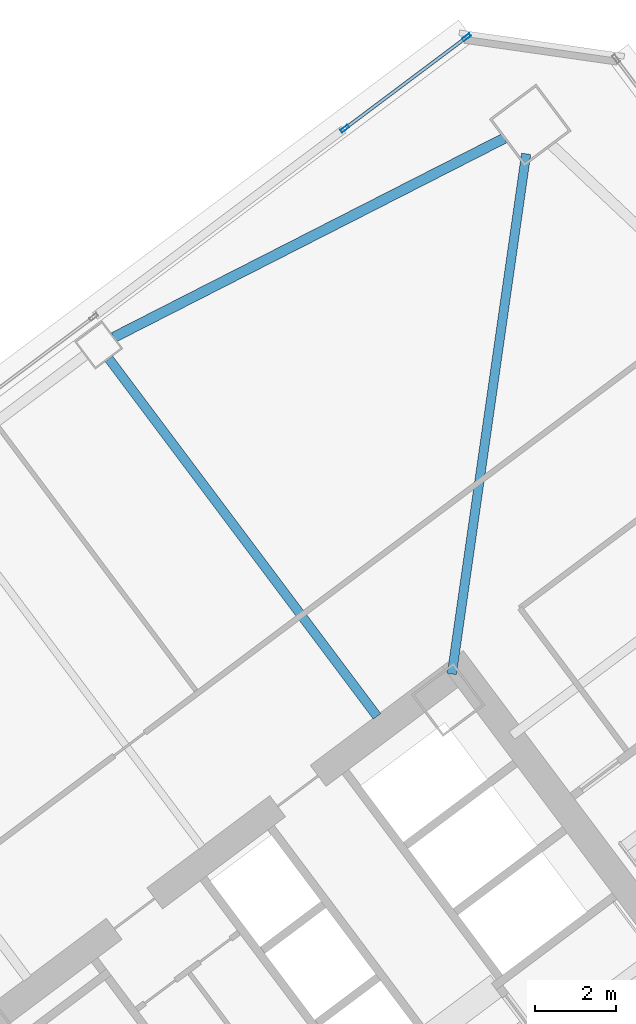
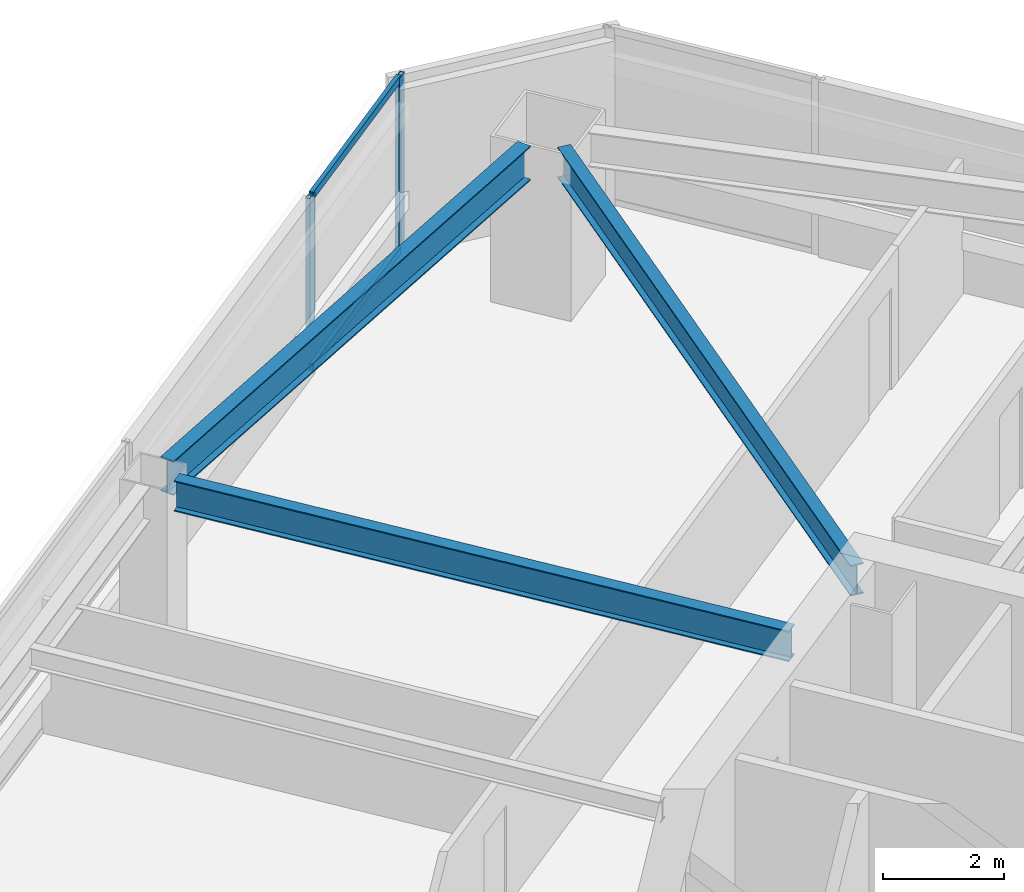
# One storey, part 31 of 47: 4 members, 3 beams, 1 element without a shape of its own.
"""IFC4 building model written with IfcOpenShell, lengths in metres."""

from ifc_helpers import new_model, si_unit, direction, frame, origin, origin_2d, place, context, subcontext, project, spatial, hollow_rectangle, i_section, extrude, material, material_profile, profile_set, type_object, element, aggregate, save


model = new_model("IFC4")

# Units and contexts
model_context = context("Model", 3, precision=1e-05, world=origin(), true_north=direction((0.0, 1.0)))
body_context = subcontext(model_context, "Body", "Model", "MODEL_VIEW")
ifc_project = project(units=[si_unit("LENGTHUNIT", "METRE"), si_unit("AREAUNIT", "SQUARE_METRE"), si_unit("VOLUMEUNIT", "CUBIC_METRE"), si_unit("PLANEANGLEUNIT", "RADIAN"), si_unit("MASSUNIT", "GRAM", prefix="KILO")], contexts=[model_context])

# Site, building, storey
site_placement = place(None, origin())
site = spatial("IfcSite", under=ifc_project, at=site_placement, CompositionType="ELEMENT")
building_placement = place(site_placement, origin())
building = spatial("IfcBuilding", under=site, at=building_placement, Name="Tashvorn Skyway Center", CompositionType="ELEMENT")
storey_placement = place(building_placement, frame((0.0, 0.0, 81.39990234375)))
storey = spatial("IfcBuildingStorey", under=building, at=storey_placement, Name="L21", CompositionType="ELEMENT", Elevation=81.39990234375)

# Beams
ifc_material_1 = material(Name="Steel ASTM A992 Grade 50", Category="steel")
ifc_material_profile_1 = material_profile(ifc_material_1, i_section(OverallWidth=0.22998046875, OverallDepth=0.616943359375, WebThickness=0.01318359375, FlangeThickness=0.022216796875, at=origin_2d()), Name="W24X94")
ifc_profile_set_1 = profile_set([ifc_material_profile_1], Name="Steel ASTM A992 Grade 50")
beam_type_1 = type_object("IfcBeamType", Name="BM-BEAM-W24X94", PredefinedType="BEAM", material=ifc_profile_set_1)
beam_1_placement = place(storey_placement, frame((117.338134765625, 55.3671875, 3.04150390625), z_axis=(-0.141418724841, -0.989949869571, 0.0), x_axis=(0.989949869571, -0.141418724841, 0.0)))
element("IfcBeam", 1, at=beam_1_placement, inside=storey, type_object=beam_type_1, Name="Tower 2 L21 Primary Floor Girder MC-NE", PredefinedType="BEAM", context=body_context, shape_type="SweptSolid", body=[
    extrude(i_section(OverallWidth=0.22998046875, OverallDepth=0.616943359375, WebThickness=0.01318359375, FlangeThickness=0.022216796875, at=origin_2d()), origin(), (0.0, 0.0, 1.0), 12.9892578125),
])
beam_2_placement = place(storey_placement, frame((107.02197265625, 50.303955078125, 3.04150390625), z_axis=(0.60001414024, -0.799989394625, 0.0), x_axis=(0.799989394625, 0.60001414024, 0.0)))
element("IfcBeam", 2, at=beam_2_placement, inside=storey, type_object=beam_type_1, Name="Tower 2 L21 Primary Floor Girder FC-N1", PredefinedType="BEAM", context=body_context, shape_type="SweptSolid", body=[
    extrude(i_section(OverallWidth=0.22998046875, OverallDepth=0.616943359375, WebThickness=0.01318359375, FlangeThickness=0.022216796875, at=origin_2d()), origin(), (0.0, 0.0, 1.0), 11.050048828125),
])
ifc_material_profile_2 = material_profile(ifc_material_1, i_section(OverallWidth=0.256103515625, OverallDepth=0.693115234375, WebThickness=0.014404296875, FlangeThickness=0.023681640625, at=origin_2d()), Name="W27X114")
ifc_profile_set_2 = profile_set([ifc_material_profile_2], Name="Steel ASTM A992 Grade 50")
beam_type_2 = type_object("IfcBeamType", Name="BM-SPANDREL-W27X114", PredefinedType="SPANDREL", material=ifc_profile_set_2)
beam_3_placement = place(storey_placement, frame((116.798583984375, 55.7529296875, 3.003662109375), z_axis=(-0.890894170442, -0.454210938961, 0.0), x_axis=(0.454210938961, -0.890894170442, 0.0)))
element("IfcBeam", 3, at=beam_3_placement, inside=storey, type_object=beam_type_2, Name="Tower 2 L21 Spandrel Beam 07", PredefinedType="SPANDREL", context=body_context, shape_type="SweptSolid", body=[
    extrude(i_section(OverallWidth=0.256103515625, OverallDepth=0.693115234375, WebThickness=0.014404296875, FlangeThickness=0.023681640625, at=origin_2d()), origin(), (0.0, 0.0, 1.0), 10.836669921875),
])

# Curtain wall, members
ifc_material_2 = material(Name="Thermally broken bronze-anodized aluminium 6063-T6", Category="aluminium")
curtain_wall_type = type_object("IfcCurtainWallType", Name="CW-CW-Z2", PredefinedType="NOTDEFINED", material=ifc_material_2)
curtain_wall_placement = place(storey_placement, origin())
curtain_wall = element("IfcCurtainWall", 4, at=curtain_wall_placement, inside=storey, type_object=curtain_wall_type, Name="Tower 2 L21 North Unitised Curtain Wall Glazing Group 3", PredefinedType="NOTDEFINED")
ifc_material_profile_3 = material_profile(ifc_material_2, hollow_rectangle(XDim=0.080078125, YDim=0.219970703125, WallThickness=0.0048828125, at=origin_2d()), Name="ALU-MULL-80x220")
ifc_profile_set_3 = profile_set([ifc_material_profile_3], Name="Thermally broken bronze-anodized aluminium 6063-T6")
member_type_1 = type_object("IfcMemberType", Name="CWM-CW-Z2", PredefinedType="MULLION", material=ifc_profile_set_3)
member_1_placement = place(storey_placement, frame((112.85595703125, 55.991943359375, 0.0), z_axis=(0.0, 0.0, 1.0), x_axis=(-0.600000000002, 0.799999999998, 0.0)))
member_1 = element("IfcMember", 5, at=member_1_placement, type_object=member_type_1, Name="CW-Z2 mullion 1", PredefinedType="MULLION", context=body_context, shape_type="SweptSolid", body=[
    extrude(hollow_rectangle(XDim=0.080078125, YDim=0.219970703125, WallThickness=0.0048828125, at=origin_2d()), origin(), (0.0, 0.0, 1.0), 3.550048828125),
])
member_2_placement = place(storey_placement, frame((115.864013671875, 58.248046875, 0.0), z_axis=(0.0, 0.0, 1.0), x_axis=(-0.600000000002, 0.799999999998, 0.0)))
member_2 = element("IfcMember", 6, at=member_2_placement, type_object=member_type_1, Name="CW-Z2 mullion 2", PredefinedType="MULLION", context=body_context, shape_type="SweptSolid", body=[
    extrude(hollow_rectangle(XDim=0.080078125, YDim=0.219970703125, WallThickness=0.0048828125, at=origin_2d()), origin(), (0.0, 0.0, 1.0), 3.550048828125),
])
ifc_material_profile_4 = material_profile(ifc_material_2, hollow_rectangle(XDim=0.080078125, YDim=0.14990234375, WallThickness=0.00439453125, at=origin_2d()), Name="ALU-TRAN-80x150")
ifc_profile_set_4 = profile_set([ifc_material_profile_4], Name="Thermally broken bronze-anodized aluminium 6063-T6")
member_type_2 = type_object("IfcMemberType", Name="CWT-CW-Z2", PredefinedType="USERDEFINED", material=ifc_profile_set_4)
member_3_placement = place(storey_placement, frame((112.887939453125, 56.01611328125, 0.0400390625), z_axis=(0.800007960868, 0.599989385363, 0.0), x_axis=(-0.599989385363, 0.800007960868, 0.0)))
member_3 = element("IfcMember", 7, at=member_3_placement, type_object=member_type_2, Name="CW-Z2 transom 1.1", ObjectType="TRANSOM", PredefinedType="USERDEFINED", context=body_context, shape_type="SweptSolid", body=[
    extrude(hollow_rectangle(XDim=0.080078125, YDim=0.14990234375, WallThickness=0.00439453125, at=origin_2d()), origin(), (0.0, 0.0, 1.0), 3.68017578125),
])
member_4_placement = place(storey_placement, frame((112.887939453125, 56.01611328125, 3.510009765625), z_axis=(0.800007960868, 0.599989385363, 0.0), x_axis=(-0.599989385363, 0.800007960868, 0.0)))
member_4 = element("IfcMember", 8, at=member_4_placement, type_object=member_type_2, Name="CW-Z2 transom 1.2", ObjectType="TRANSOM", PredefinedType="USERDEFINED", context=body_context, shape_type="SweptSolid", body=[
    extrude(hollow_rectangle(XDim=0.080078125, YDim=0.14990234375, WallThickness=0.00439453125, at=origin_2d()), origin(), (0.0, 0.0, 1.0), 3.68017578125),
])
aggregate(curtain_wall, [member_1, member_2, member_3, member_4])

save(model, "model.ifc")
